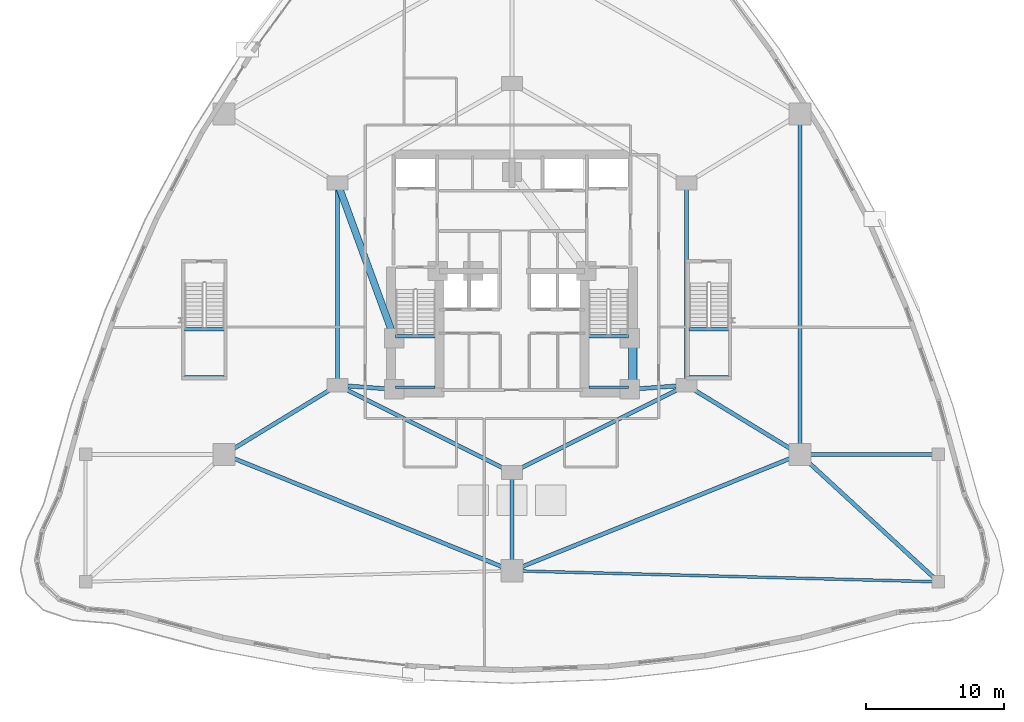
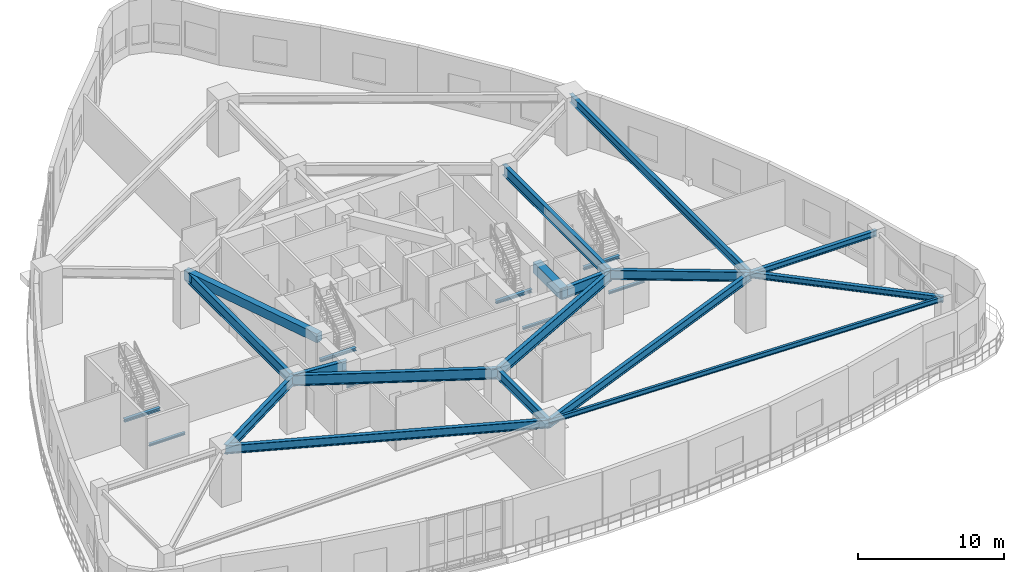
# One storey, part 7 of 23: 25 beams.
"""IFC4 building model written with IfcOpenShell, lengths in metres."""

from ifc_helpers import new_model, si_unit, direction, frame, origin, origin_2d, place, context, subcontext, project, spatial, rectangle, i_section, extrude, material, material_profile, profile_set, type_object, element, save


model = new_model("IFC4")

# Units and contexts
model_context = context("Model", 3, precision=1e-05, world=origin(), true_north=direction((0.0, 1.0)))
body_context = subcontext(model_context, "Body", "Model", "MODEL_VIEW")
ifc_project = project(units=[si_unit("LENGTHUNIT", "METRE"), si_unit("AREAUNIT", "SQUARE_METRE"), si_unit("VOLUMEUNIT", "CUBIC_METRE"), si_unit("PLANEANGLEUNIT", "RADIAN"), si_unit("MASSUNIT", "GRAM", prefix="KILO")], contexts=[model_context])

# Site, building, storey
site_placement = place(None, origin())
site = spatial("IfcSite", under=ifc_project, at=site_placement, CompositionType="ELEMENT")
building_placement = place(site_placement, origin())
building = spatial("IfcBuilding", under=site, at=building_placement, Name="Miruveldt Soraemaru", CompositionType="ELEMENT")
storey_placement = place(building_placement, frame((0.0, 0.0, 9.60009765625)))
storey = spatial("IfcBuildingStorey", under=building, at=storey_placement, Name="L03", CompositionType="ELEMENT", Elevation=9.60009765625)

# Beams
ifc_material_1 = material(Name="Concrete C40/50 (40 MPa)", Category="concrete")
ifc_material_profile_1 = material_profile(ifc_material_1, rectangle(XDim=0.5, YDim=0.75, at=origin_2d()), Name="Concrete C40/50 (40 MPa)", Category="concrete")
ifc_profile_set_1 = profile_set([ifc_material_profile_1], Name="Concrete C40/50 (40 MPa)")
beam_type_1 = type_object("IfcBeamType", Name="BM-RC-500x750", PredefinedType="LINTEL", material=ifc_profile_set_1)
beam_1_placement = place(storey_placement, frame((31.39990234375, 50.39990234375, 4.125), z_axis=(0.343770424598, -0.939053723262, 0.0), x_axis=(0.939053723262, 0.343770424598, 0.0)))
element("IfcBeam", 1, at=beam_1_placement, inside=storey, type_object=beam_type_1, Name="L03 West Lobby Lintel", PredefinedType="LINTEL", context=body_context, shape_type="SweptSolid", body=[
    extrude(rectangle(XDim=0.5, YDim=0.75, at=origin_2d()), origin(), (0.0, 0.0, 1.0), 11.9267578125),
])
ifc_material_2 = material(Name="Concrete C60/75 (60 MPa)", Category="concrete")
ifc_material_profile_2 = material_profile(ifc_material_2, rectangle(XDim=0.60009765625, YDim=0.89990234375, at=origin_2d()), Name="Concrete C60/75 (60 MPa)", Category="concrete")
ifc_profile_set_2 = profile_set([ifc_material_profile_2], Name="Concrete C60/75 (60 MPa)")
beam_type_2 = type_object("IfcBeamType", Name="BM-RC-600x900", PredefinedType="BEAM", material=ifc_profile_set_2)
beam_2_placement = place(storey_placement, frame((52.72998046875, 35.5, 4.0498046875), z_axis=(0.0, 1.0, 0.0), x_axis=(-1.0, 0.0, 0.0)))
element("IfcBeam", 2, at=beam_2_placement, inside=storey, type_object=beam_type_2, Name="L03 Core Tie Beam 3", PredefinedType="BEAM", context=body_context, shape_type="SweptSolid", body=[
    extrude(rectangle(XDim=0.60009765625, YDim=0.89990234375, at=origin_2d()), origin(), (0.0, 0.0, 1.0), 3.699951171875),
])
ifc_material_3 = material(Name="Steel SM355 (355 MPa)", Category="steel")
ifc_material_profile_3 = material_profile(ifc_material_3, i_section(OverallWidth=0.199951171875, OverallDepth=0.39990234375, WebThickness=0.008056640625, FlangeThickness=0.012939453125, FilletRadius=0.01611328125, at=origin_2d()), Name="Steel SM355 (355 MPa)", Category="steel")
ifc_profile_set_3 = profile_set([ifc_material_profile_3], Name="Steel SM355 (355 MPa)")
beam_type_3 = type_object("IfcBeamType", Name="BM-ST-H400", PredefinedType="JOIST", material=ifc_profile_set_3)
beam_3_placement = place(storey_placement, frame((74.800048828125, 21.60009765625, 4.2998046875), z_axis=(-0.999663011165, 0.025958892686, 0.0), x_axis=(-0.025958892686, -0.999663011165, 0.0)))
element("IfcBeam", 3, at=beam_3_placement, inside=storey, type_object=beam_type_3, Name="L03 Podium South-East Tie Beam", PredefinedType="JOIST", context=body_context, shape_type="SweptSolid", body=[
    extrude(i_section(OverallWidth=0.199951171875, OverallDepth=0.39990234375, WebThickness=0.008056640625, FlangeThickness=0.012939453125, FilletRadius=0.01611328125, at=origin_2d()), origin(), (0.0, 0.0, 1.0), 30.810546875),
])
ifc_material_profile_4 = material_profile(ifc_material_3, i_section(OverallWidth=0.300048828125, OverallDepth=0.488037109375, WebThickness=0.010986328125, FlangeThickness=0.01806640625, FilletRadius=0.02587890625, at=origin_2d()), Name="Steel SM355 (355 MPa)", Category="steel")
ifc_profile_set_4 = profile_set([ifc_material_profile_4], Name="Steel SM355 (355 MPa)")
beam_type_4 = type_object("IfcBeamType", Name="BM-ST-H488", PredefinedType="BEAM", material=ifc_profile_set_4)
beam_4_placement = place(storey_placement, frame((64.800048828125, 30.800048828125, 4.255859375), z_axis=(1.0, 0.0, 0.0), x_axis=(0.0, 1.0, 0.0)))
element("IfcBeam", 4, at=beam_4_placement, inside=storey, type_object=beam_type_4, Name="L03 Podium East Bay Girder 1", PredefinedType="BEAM", context=body_context, shape_type="SweptSolid", body=[
    extrude(i_section(OverallWidth=0.300048828125, OverallDepth=0.488037109375, WebThickness=0.010986328125, FlangeThickness=0.01806640625, FilletRadius=0.02587890625, at=origin_2d()), origin(), (0.0, 0.0, 1.0), 10.0),
])
beam_5_placement = place(storey_placement, frame((74.800048828125, 21.60009765625, 4.255859375), z_axis=(-0.735932802242, 0.677054584641, 0.0), x_axis=(-0.677054584641, -0.735932802242, 0.0)))
element("IfcBeam", 5, at=beam_5_placement, inside=storey, type_object=beam_type_4, Name="L03 Podium East Bay Tie Girder", PredefinedType="BEAM", context=body_context, shape_type="SweptSolid", body=[
    extrude(i_section(OverallWidth=0.300048828125, OverallDepth=0.488037109375, WebThickness=0.010986328125, FlangeThickness=0.01806640625, FilletRadius=0.02587890625, at=origin_2d()), origin(), (0.0, 0.0, 1.0), 13.588134765625),
])
ifc_material_profile_5 = material_profile(ifc_material_3, i_section(OverallWidth=0.300048828125, OverallDepth=0.699951171875, WebThickness=0.012939453125, FlangeThickness=0.02392578125, FilletRadius=0.028076171875, at=origin_2d()), Name="Steel SM355 (355 MPa)", Category="steel")
ifc_profile_set_5 = profile_set([ifc_material_profile_5], Name="Steel SM355 (355 MPa)")
beam_type_5 = type_object("IfcBeamType", Name="BM-ST-H700", PredefinedType="BEAM", material=ifc_profile_set_5)
beam_6_placement = place(storey_placement, frame((64.800048828125, 55.39990234375, 4.14990234375), z_axis=(0.0, -1.0, 0.0), x_axis=(1.0, 0.0, 0.0)))
element("IfcBeam", 6, at=beam_6_placement, inside=storey, type_object=beam_type_5, Name="L03 Podium Ring Girder 2", PredefinedType="BEAM", context=body_context, shape_type="SweptSolid", body=[
    extrude(i_section(OverallWidth=0.300048828125, OverallDepth=0.699951171875, WebThickness=0.012939453125, FlangeThickness=0.02392578125, FilletRadius=0.028076171875, at=origin_2d()), origin(), (0.0, 0.0, 1.0), 24.599853515625),
])
for number, where, z_axis, x_axis, name in (
    (7, (64.800048828125, 30.800048828125, 4.14990234375), (-0.927239874954, -0.374467908231, 0.0), (0.374467908231, -0.927239874954, 0.0), "L03 Podium Ring Girder 3"),
    (8, (44.0, 22.39990234375, 4.14990234375), (-0.927239874954, 0.374467908231, 0.0), (-0.374467908231, -0.927239874954, 0.0), "L03 Podium Ring Girder 4"),
):
    element("IfcBeam", number, at=place(storey_placement, frame(where, z_axis=z_axis, x_axis=x_axis)), inside=storey, type_object=beam_type_5, Name=name, PredefinedType="BEAM", context=body_context, shape_type="SweptSolid", body=[
        extrude(i_section(OverallWidth=0.300048828125, OverallDepth=0.699951171875, WebThickness=0.012939453125, FlangeThickness=0.02392578125, FilletRadius=0.028076171875, at=origin_2d()), origin(), (0.0, 0.0, 1.0), 22.43212890625),
    ])
ifc_material_4 = material(Name="Steel S460 (460 MPa)", Category="steel")
ifc_material_profile_6 = material_profile(ifc_material_4, i_section(OverallWidth=0.300048828125, OverallDepth=0.800048828125, WebThickness=0.013916015625, FlangeThickness=0.02587890625, FilletRadius=0.028076171875, at=origin_2d()), Name="Steel S460 (460 MPa)", Category="steel")
ifc_profile_set_6 = profile_set([ifc_material_profile_6], Name="Steel S460 (460 MPa)")
beam_type_6 = type_object("IfcBeamType", Name="BM-ST-H800", PredefinedType="BEAM", material=ifc_profile_set_6)
beam_7_placement = place(storey_placement, frame((56.60009765625, 35.800048828125, 4.099853515625), z_axis=(0.853794797843, -0.520609684098, 0.0), x_axis=(0.520609684098, 0.853794797843, 0.0)))
element("IfcBeam", 9, at=beam_7_placement, inside=storey, type_object=beam_type_6, Name="L03 Podium Radial Girder 3", PredefinedType="BEAM", context=body_context, shape_type="SweptSolid", body=[
    extrude(i_section(OverallWidth=0.300048828125, OverallDepth=0.800048828125, WebThickness=0.013916015625, FlangeThickness=0.02587890625, FilletRadius=0.028076171875, at=origin_2d()), origin(), (0.0, 0.0, 1.0), 9.60400390625),
])
beam_8_placement = place(storey_placement, frame((44.0, 29.5, 4.099853515625), z_axis=(0.0, -1.0, 0.0), x_axis=(1.0, 0.0, 0.0)))
element("IfcBeam", 10, at=beam_8_placement, inside=storey, type_object=beam_type_6, Name="L03 Podium Radial Girder 4", PredefinedType="BEAM", context=body_context, shape_type="SweptSolid", body=[
    extrude(i_section(OverallWidth=0.300048828125, OverallDepth=0.800048828125, WebThickness=0.013916015625, FlangeThickness=0.02587890625, FilletRadius=0.028076171875, at=origin_2d()), origin(), (0.0, 0.0, 1.0), 7.10009765625),
])
beam_9_placement = place(storey_placement, frame((31.39990234375, 35.800048828125, 4.099853515625), z_axis=(-0.853794797843, -0.520609684098, 0.0), x_axis=(0.520609684098, -0.853794797843, 0.0)))
element("IfcBeam", 11, at=beam_9_placement, inside=storey, type_object=beam_type_6, Name="L03 Podium Radial Girder 5", PredefinedType="BEAM", context=body_context, shape_type="SweptSolid", body=[
    extrude(i_section(OverallWidth=0.300048828125, OverallDepth=0.800048828125, WebThickness=0.013916015625, FlangeThickness=0.02587890625, FilletRadius=0.028076171875, at=origin_2d()), origin(), (0.0, 0.0, 1.0), 9.60400390625),
])
ifc_material_profile_7 = material_profile(ifc_material_4, i_section(OverallWidth=0.300048828125, OverallDepth=0.89990234375, WebThickness=0.01611328125, FlangeThickness=0.028076171875, FilletRadius=0.028076171875, at=origin_2d()), Name="Steel S460 (460 MPa)", Category="steel")
ifc_profile_set_7 = profile_set([ifc_material_profile_7], Name="Steel S460 (460 MPa)")
beam_type_7 = type_object("IfcBeamType", Name="BM-ST-H900", PredefinedType="BEAM", material=ifc_profile_set_7)
beam_10_placement = place(storey_placement, frame((56.60009765625, 50.39990234375, 4.0498046875), z_axis=(0.0, -1.0, 0.0), x_axis=(1.0, 0.0, 0.0)))
element("IfcBeam", 12, at=beam_10_placement, inside=storey, type_object=beam_type_7, Name="L03 Inner Ring Girder 2", PredefinedType="BEAM", context=body_context, shape_type="SweptSolid", body=[
    extrude(i_section(OverallWidth=0.300048828125, OverallDepth=0.89990234375, WebThickness=0.01611328125, FlangeThickness=0.028076171875, FilletRadius=0.028076171875, at=origin_2d()), origin(), (0.0, 0.0, 1.0), 14.599853515625),
])
beam_11_placement = place(storey_placement, frame((56.60009765625, 35.800048828125, 4.0498046875), z_axis=(-0.894427191, -0.4472135955, 0.0), x_axis=(0.4472135955, -0.894427191, 0.0)))
element("IfcBeam", 13, at=beam_11_placement, inside=storey, type_object=beam_type_7, Name="L03 Inner Ring Girder 3", PredefinedType="BEAM", context=body_context, shape_type="SweptSolid", body=[
    extrude(i_section(OverallWidth=0.300048828125, OverallDepth=0.89990234375, WebThickness=0.01611328125, FlangeThickness=0.028076171875, FilletRadius=0.028076171875, at=origin_2d()), origin(), (0.0, 0.0, 1.0), 14.08740234375),
])
beam_12_placement = place(storey_placement, frame((52.5, 35.5, 4.0498046875), z_axis=(0.997332985605, 0.072985723431, 0.0), x_axis=(-0.072985723431, 0.997332985605, 0.0)))
element("IfcBeam", 14, at=beam_12_placement, inside=storey, type_object=beam_type_7, Name="L03 Core-to-Inner Radial Girder 3", PredefinedType="BEAM", context=body_context, shape_type="SweptSolid", body=[
    extrude(i_section(OverallWidth=0.300048828125, OverallDepth=0.89990234375, WebThickness=0.01611328125, FlangeThickness=0.028076171875, FilletRadius=0.028076171875, at=origin_2d()), origin(), (0.0, 0.0, 1.0), 4.111083984375),
])
beam_13_placement = place(storey_placement, frame((44.0, 29.5, 4.0498046875), z_axis=(-0.894427191, 0.4472135955, 0.0), x_axis=(-0.4472135955, -0.894427191, 0.0)))
element("IfcBeam", 15, at=beam_13_placement, inside=storey, type_object=beam_type_7, Name="L03 Inner Ring Girder 4", PredefinedType="BEAM", context=body_context, shape_type="SweptSolid", body=[
    extrude(i_section(OverallWidth=0.300048828125, OverallDepth=0.89990234375, WebThickness=0.01611328125, FlangeThickness=0.028076171875, FilletRadius=0.028076171875, at=origin_2d()), origin(), (0.0, 0.0, 1.0), 14.08740234375),
])
beam_14_placement = place(storey_placement, frame((31.39990234375, 35.800048828125, 4.0498046875), z_axis=(0.0, 1.0, 0.0), x_axis=(-1.0, 0.0, 0.0)))
element("IfcBeam", 16, at=beam_14_placement, inside=storey, type_object=beam_type_7, Name="L03 Inner Ring Girder 5", PredefinedType="BEAM", context=body_context, shape_type="SweptSolid", body=[
    extrude(i_section(OverallWidth=0.300048828125, OverallDepth=0.89990234375, WebThickness=0.01611328125, FlangeThickness=0.028076171875, FilletRadius=0.028076171875, at=origin_2d()), origin(), (0.0, 0.0, 1.0), 14.599853515625),
])
beam_15_placement = place(storey_placement, frame((35.5, 35.5, 4.0498046875), z_axis=(-0.997332985605, 0.072985723431, 0.0), x_axis=(-0.072985723431, -0.997332985605, 0.0)))
element("IfcBeam", 17, at=beam_15_placement, inside=storey, type_object=beam_type_7, Name="L03 Core-to-Inner Radial Girder 5", PredefinedType="BEAM", context=body_context, shape_type="SweptSolid", body=[
    extrude(i_section(OverallWidth=0.300048828125, OverallDepth=0.89990234375, WebThickness=0.01611328125, FlangeThickness=0.028076171875, FilletRadius=0.028076171875, at=origin_2d()), origin(), (0.0, 0.0, 1.0), 4.111083984375),
])
ifc_material_profile_8 = material_profile(ifc_material_3, i_section(OverallWidth=0.199951171875, OverallDepth=0.199951171875, WebThickness=0.008056640625, FlangeThickness=0.011962890625, FilletRadius=0.012939453125, at=origin_2d()), Name="Steel SM355 (355 MPa)", Category="steel")
ifc_profile_set_8 = profile_set([ifc_material_profile_8], Name="Steel SM355 (355 MPa)")
beam_type_8 = type_object("IfcBeamType", Name="BM-ST-LND200", PredefinedType="BEAM", material=ifc_profile_set_8)
for number, where, z_axis, x_axis, name in (
    (18, (35.60009765625, 35.64990234375, 2.099853515625), (1.0, 0.0, 0.0), (0.0, 1.0, 0.0), "L03 ST1 Landing End Beam 1B"),
    (19, (49.550048828125, 35.64990234375, 2.099853515625), (1.0, 0.0, 0.0), (0.0, 1.0, 0.0), "L03 ST2 Landing End Beam 1B"),
    (20, (20.35009765625, 36.39990234375, 2.099853515625), (1.0, 0.0, 0.0), (0.0, 1.0, 0.0), "L03 ST3 Landing End Beam 1B"),
    (21, (56.800048828125, 36.39990234375, 2.099853515625), (1.0, 0.0, 0.0), (0.0, 1.0, 0.0), "L03 ST4 Landing End Beam 1B"),
):
    element("IfcBeam", number, at=place(storey_placement, frame(where, z_axis=z_axis, x_axis=x_axis)), inside=storey, type_object=beam_type_8, Name=name, PredefinedType="BEAM", context=body_context, shape_type="SweptSolid", body=[
        extrude(i_section(OverallWidth=0.199951171875, OverallDepth=0.199951171875, WebThickness=0.008056640625, FlangeThickness=0.011962890625, FilletRadius=0.012939453125, at=origin_2d()), origin(), (0.0, 0.0, 1.0), 2.849853515625),
    ])
ifc_material_profile_9 = material_profile(ifc_material_3, i_section(OverallWidth=0.25, OverallDepth=0.25, WebThickness=0.009033203125, FlangeThickness=0.013916015625, FilletRadius=0.01611328125, at=origin_2d()), Name="Steel SM355 (355 MPa)", Category="steel")
ifc_profile_set_9 = profile_set([ifc_material_profile_9], Name="Steel SM355 (355 MPa)")
beam_type_9 = type_object("IfcBeamType", Name="BM-ST-LND250", PredefinedType="BEAM", material=ifc_profile_set_9)
for number, where, z_axis, x_axis, name in (
    (22, (35.60009765625, 39.340087890625, 2.074951171875), (1.0, 0.0, 0.0), (0.0, 1.0, 0.0), "L03 ST1 Landing Support Beam 1A"),
    (23, (49.550048828125, 39.340087890625, 2.074951171875), (1.0, 0.0, 0.0), (0.0, 1.0, 0.0), "L03 ST2 Landing Support Beam 1A"),
    (24, (20.35009765625, 39.840087890625, 2.074951171875), (1.0, 0.0, 0.0), (0.0, 1.0, 0.0), "L03 ST3 Landing Support Beam 1A"),
    (25, (56.800048828125, 39.840087890625, 2.074951171875), (1.0, 0.0, 0.0), (0.0, 1.0, 0.0), "L03 ST4 Landing Support Beam 1A"),
):
    element("IfcBeam", number, at=place(storey_placement, frame(where, z_axis=z_axis, x_axis=x_axis)), inside=storey, type_object=beam_type_9, Name=name, PredefinedType="BEAM", context=body_context, shape_type="SweptSolid", body=[
        extrude(i_section(OverallWidth=0.25, OverallDepth=0.25, WebThickness=0.009033203125, FlangeThickness=0.013916015625, FilletRadius=0.01611328125, at=origin_2d()), origin(), (0.0, 0.0, 1.0), 2.849853515625),
    ])

save(model, "model.ifc")
